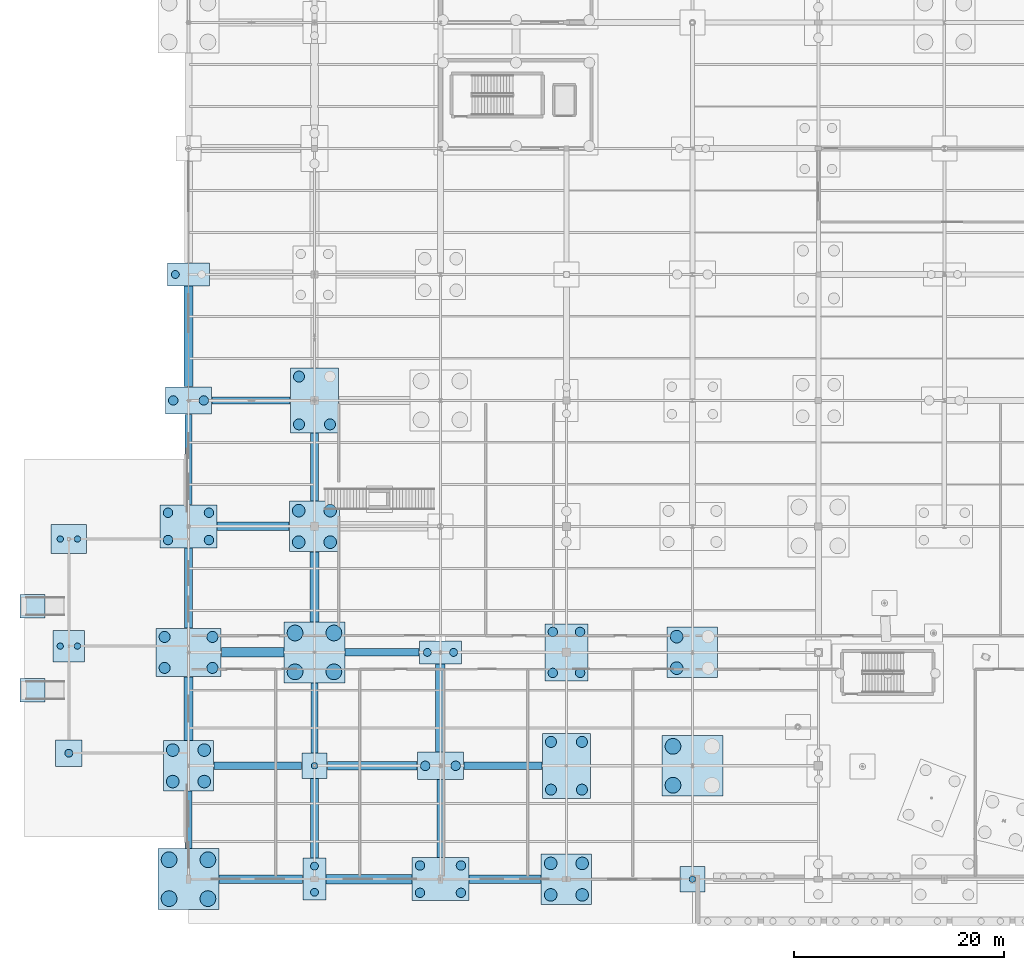
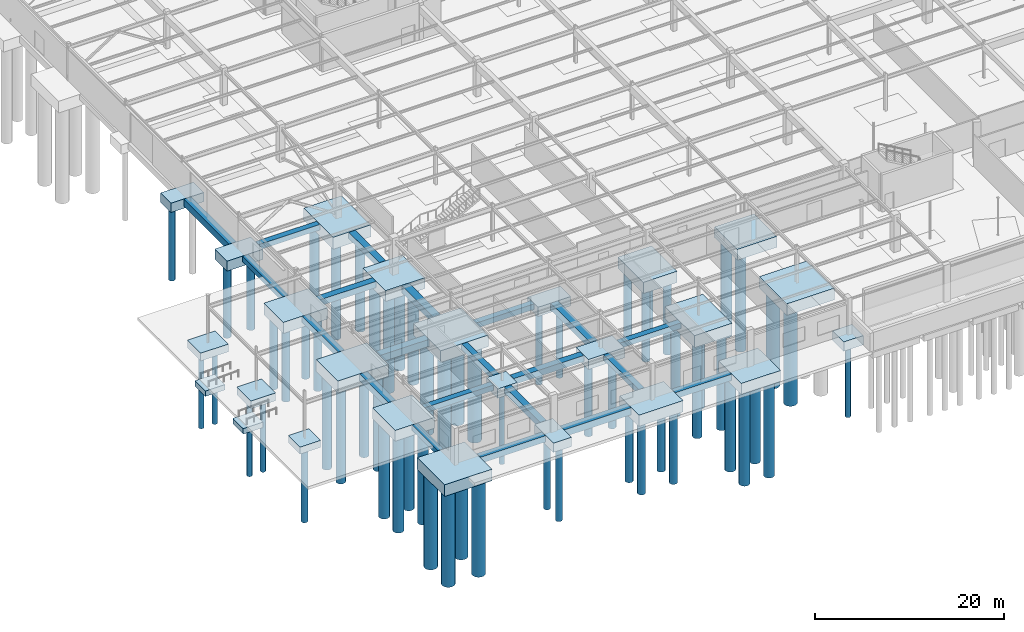
# One storey, part 1 of 136: 63 piles, 46 footings.
"""IFC4 building model written with IfcOpenShell, lengths in metres."""

from ifc_helpers import new_model, si_unit, direction, frame, origin, origin_2d, place, context, subcontext, project, spatial, rectangle, circle, extrude, material, material_profile, profile_set, type_object, element, save


model = new_model("IFC4")

# Units and contexts
model_context = context("Model", 3, precision=1e-05, world=origin(), true_north=direction((0.0, 1.0)))
body_context = subcontext(model_context, "Body", "Model", "MODEL_VIEW")
ifc_project = project(units=[si_unit("LENGTHUNIT", "METRE"), si_unit("AREAUNIT", "SQUARE_METRE"), si_unit("VOLUMEUNIT", "CUBIC_METRE"), si_unit("PLANEANGLEUNIT", "RADIAN"), si_unit("MASSUNIT", "GRAM", prefix="KILO")], contexts=[model_context])

# Site, building, storey
site_placement = place(None, origin())
site = spatial("IfcSite", under=ifc_project, at=site_placement, CompositionType="ELEMENT")
building_placement = place(site_placement, origin())
building = spatial("IfcBuilding", under=site, at=building_placement, Name="Tarnwether General Hospital", CompositionType="ELEMENT")
storey_placement = place(building_placement, frame((0.0, 0.0, -4.800048828125)))
storey = spatial("IfcBuildingStorey", under=building, at=storey_placement, Name="LG", CompositionType="ELEMENT", Elevation=-4.800048828125)

# Footings
ifc_material_1 = material(Name="Concrete 40 MPa", Category="concrete")
footing_type_1 = type_object("IfcFootingType", Name="FT-GB1", PredefinedType="FOOTING_BEAM", material=ifc_material_1)
footing_1_placement = place(storey_placement, frame((6.89990234375, 0.0, -0.7998046875), z_axis=(0.0, 0.0, 1.0), x_axis=(1.0, 0.0, 0.0)))
element("IfcFooting", 1, at=footing_1_placement, inside=storey, type_object=footing_type_1, Name="Ground Footing Beam FT-GB-0004", PredefinedType="FOOTING_BEAM", context=body_context, shape_type="SweptSolid", body=[
    extrude(rectangle(XDim=7.9599609375, YDim=0.800048828125, at=origin_2d()), origin(), (0.0, 0.0, 1.0), 0.800048828125),
])
footing_2_placement = place(storey_placement, frame((0.0, 27.72509765625, -0.7998046875), z_axis=(0.0, 0.0, 1.0), x_axis=(0.0, 1.0, 0.0)))
element("IfcFooting", 2, at=footing_2_placement, inside=storey, type_object=footing_type_1, Name="Ground Footing Beam FT-GB-0007", PredefinedType="FOOTING_BEAM", context=body_context, shape_type="SweptSolid", body=[
    extrude(rectangle(XDim=7.610107421875, YDim=0.800048828125, at=origin_2d()), origin(), (0.0, 0.0, 1.0), 0.800048828125),
])
footing_3_placement = place(storey_placement, frame((6.14990234375, 33.60009765625, -0.7998046875), z_axis=(0.0, 0.0, 1.0), x_axis=(1.0, 0.0, 0.0)))
element("IfcFooting", 3, at=footing_3_placement, inside=storey, type_object=footing_type_1, Name="Ground Footing Beam FT-GB-0010", PredefinedType="FOOTING_BEAM", context=body_context, shape_type="SweptSolid", body=[
    extrude(rectangle(XDim=6.860107421875, YDim=0.800048828125, at=origin_2d()), origin(), (0.0, 0.0, 1.0), 0.800048828125),
])
footing_4_placement = place(storey_placement, frame((12.0, 5.800048828125, -0.7998046875), z_axis=(0.0, 0.0, 1.0), x_axis=(0.0, 1.0, 0.0)))
element("IfcFooting", 4, at=footing_4_placement, inside=storey, type_object=footing_type_1, Name="Ground Footing Beam FT-GB-0025", PredefinedType="FOOTING_BEAM", context=body_context, shape_type="SweptSolid", body=[
    extrude(rectangle(XDim=7.56005859375, YDim=0.800048828125, at=origin_2d()), origin(), (0.0, 0.0, 1.0), 0.800048828125),
])
footing_5_placement = place(storey_placement, frame((17.5, 10.800048828125, -0.7998046875), z_axis=(0.0, 0.0, 1.0), x_axis=(1.0, 0.0, 0.0)))
element("IfcFooting", 5, at=footing_5_placement, inside=storey, type_object=footing_type_1, Name="Ground Footing Beam FT-GB-0028", PredefinedType="FOOTING_BEAM", context=body_context, shape_type="SweptSolid", body=[
    extrude(rectangle(XDim=8.56005859375, YDim=0.800048828125, at=origin_2d()), origin(), (0.0, 0.0, 1.0), 0.800048828125),
])
footing_6_placement = place(storey_placement, frame((12.0, 39.25, -0.7998046875), z_axis=(0.0, 0.0, 1.0), x_axis=(0.0, 1.0, 0.0)))
element("IfcFooting", 6, at=footing_6_placement, inside=storey, type_object=footing_type_1, Name="Ground Footing Beam FT-GB-0031", PredefinedType="FOOTING_BEAM", context=body_context, shape_type="SweptSolid", body=[
    extrude(rectangle(XDim=6.4599609375, YDim=0.800048828125, at=origin_2d()), origin(), (0.0, 0.0, 1.0), 0.800048828125),
])
footing_7_placement = place(storey_placement, frame((30.14990234375, 0.0, -0.7998046875), z_axis=(0.0, 0.0, 1.0), x_axis=(1.0, 0.0, 0.0)))
element("IfcFooting", 7, at=footing_7_placement, inside=storey, type_object=footing_type_1, Name="Ground Footing Beam FT-GB-0046", PredefinedType="FOOTING_BEAM", context=body_context, shape_type="SweptSolid", body=[
    extrude(rectangle(XDim=6.860107421875, YDim=0.800048828125, at=origin_2d()), origin(), (0.0, 0.0, 1.0), 0.800048828125),
])
ifc_material_2 = material(Name="Concrete 40 MPa", Category="concrete")
footing_type_2 = type_object("IfcFootingType", Name="FT-GB2", PredefinedType="FOOTING_BEAM", material=ifc_material_2)
footing_8_placement = place(storey_placement, frame((0.0, 16.25, -0.89990234375), z_axis=(0.0, 0.0, 1.0), x_axis=(0.0, 1.0, 0.0)))
element("IfcFooting", 8, at=footing_8_placement, inside=storey, type_object=footing_type_2, Name="Ground Footing Beam FT-GB-0005", PredefinedType="FOOTING_BEAM", context=body_context, shape_type="SweptSolid", body=[
    extrude(rectangle(XDim=6.06005859375, YDim=0.89990234375, at=origin_2d()), origin(), (0.0, 0.0, 1.0), 0.89990234375),
])
footing_9_placement = place(storey_placement, frame((6.10009765625, 21.60009765625, -0.89990234375), z_axis=(0.0, 0.0, 1.0), x_axis=(1.0, 0.0, 0.0)))
element("IfcFooting", 9, at=footing_9_placement, inside=storey, type_object=footing_type_2, Name="Ground Footing Beam FT-GB-0008", PredefinedType="FOOTING_BEAM", context=body_context, shape_type="SweptSolid", body=[
    extrude(rectangle(XDim=5.9599609375, YDim=0.89990234375, at=origin_2d()), origin(), (0.0, 0.0, 1.0), 0.89990234375),
])
footing_10_placement = place(storey_placement, frame((0.0, 51.699951171875, -0.89990234375), z_axis=(0.0, 0.0, 1.0), x_axis=(0.0, 1.0, 0.0)))
element("IfcFooting", 10, at=footing_10_placement, inside=storey, type_object=footing_type_2, Name="Ground Footing Beam FT-GB-0011", PredefinedType="FOOTING_BEAM", context=body_context, shape_type="SweptSolid", body=[
    extrude(rectangle(XDim=9.56005859375, YDim=0.89990234375, at=origin_2d()), origin(), (0.0, 0.0, 1.0), 0.89990234375),
])
footing_11_placement = place(storey_placement, frame((17.199951171875, 0.0, -0.89990234375), z_axis=(0.0, 0.0, 1.0), x_axis=(1.0, 0.0, 0.0)))
element("IfcFooting", 11, at=footing_11_placement, inside=storey, type_object=footing_type_2, Name="Ground Footing Beam FT-GB-0026", PredefinedType="FOOTING_BEAM", context=body_context, shape_type="SweptSolid", body=[
    extrude(rectangle(XDim=8.159912109375, YDim=0.89990234375, at=origin_2d()), origin(), (0.0, 0.0, 1.0), 0.89990234375),
])
footing_12_placement = place(storey_placement, frame((12.0, 27.85009765625, -0.89990234375), z_axis=(0.0, 0.0, 1.0), x_axis=(0.0, 1.0, 0.0)))
element("IfcFooting", 12, at=footing_12_placement, inside=storey, type_object=footing_type_2, Name="Ground Footing Beam FT-GB-0029", PredefinedType="FOOTING_BEAM", context=body_context, shape_type="SweptSolid", body=[
    extrude(rectangle(XDim=6.659912109375, YDim=0.89990234375, at=origin_2d()), origin(), (0.0, 0.0, 1.0), 0.89990234375),
])
footing_13_placement = place(storey_placement, frame((24.0, 16.300048828125, -0.89990234375), z_axis=(0.0, 0.0, 1.0), x_axis=(0.0, 1.0, 0.0)))
element("IfcFooting", 13, at=footing_13_placement, inside=storey, type_object=footing_type_2, Name="Ground Footing Beam FT-GB-0047", PredefinedType="FOOTING_BEAM", context=body_context, shape_type="SweptSolid", body=[
    extrude(rectangle(XDim=8.360107421875, YDim=0.89990234375, at=origin_2d()), origin(), (0.0, 0.0, 1.0), 0.89990234375),
])
ifc_material_3 = material(Name="Concrete 40 MPa", Category="concrete")
footing_type_3 = type_object("IfcFootingType", Name="FT-GB3", PredefinedType="FOOTING_BEAM", material=ifc_material_3)
footing_14_placement = place(storey_placement, frame((0.0, 5.64990234375, -0.69970703125), z_axis=(0.0, 0.0, 1.0), x_axis=(0.0, 1.0, 0.0)))
element("IfcFooting", 14, at=footing_14_placement, inside=storey, type_object=footing_type_3, Name="Ground Footing Beam FT-GB-0003", PredefinedType="FOOTING_BEAM", context=body_context, shape_type="SweptSolid", body=[
    extrude(rectangle(XDim=5.4599609375, YDim=0.699951171875, at=origin_2d()), origin(), (0.0, 0.0, 1.0), 0.699951171875),
])
footing_15_placement = place(storey_placement, frame((6.60009765625, 10.800048828125, -0.69970703125), z_axis=(0.0, 0.0, 1.0), x_axis=(1.0, 0.0, 0.0)))
element("IfcFooting", 15, at=footing_15_placement, inside=storey, type_object=footing_type_3, Name="Ground Footing Beam FT-GB-0006", PredefinedType="FOOTING_BEAM", context=body_context, shape_type="SweptSolid", body=[
    extrude(rectangle(XDim=8.360107421875, YDim=0.699951171875, at=origin_2d()), origin(), (0.0, 0.0, 1.0), 0.699951171875),
])
footing_16_placement = place(storey_placement, frame((0.0, 39.97509765625, -0.69970703125), z_axis=(0.0, 0.0, 1.0), x_axis=(0.0, 1.0, 0.0)))
element("IfcFooting", 16, at=footing_16_placement, inside=storey, type_object=footing_type_3, Name="Ground Footing Beam FT-GB-0009", PredefinedType="FOOTING_BEAM", context=body_context, shape_type="SweptSolid", body=[
    extrude(rectangle(XDim=8.610107421875, YDim=0.699951171875, at=origin_2d()), origin(), (0.0, 0.0, 1.0), 0.699951171875),
])
footing_17_placement = place(storey_placement, frame((5.949951171875, 45.60009765625, -0.69970703125), z_axis=(0.0, 0.0, 1.0), x_axis=(1.0, 0.0, 0.0)))
element("IfcFooting", 17, at=footing_17_placement, inside=storey, type_object=footing_type_3, Name="Ground Footing Beam FT-GB-0012", PredefinedType="FOOTING_BEAM", context=body_context, shape_type="SweptSolid", body=[
    extrude(rectangle(XDim=7.4599609375, YDim=0.699951171875, at=origin_2d()), origin(), (0.0, 0.0, 1.0), 0.699951171875),
])
footing_18_placement = place(storey_placement, frame((12.0, 15.35009765625, -0.69970703125), z_axis=(0.0, 0.0, 1.0), x_axis=(0.0, 1.0, 0.0)))
element("IfcFooting", 18, at=footing_18_placement, inside=storey, type_object=footing_type_3, Name="Ground Footing Beam FT-GB-0027", PredefinedType="FOOTING_BEAM", context=body_context, shape_type="SweptSolid", body=[
    extrude(rectangle(XDim=6.659912109375, YDim=0.699951171875, at=origin_2d()), origin(), (0.0, 0.0, 1.0), 0.699951171875),
])
footing_19_placement = place(storey_placement, frame((18.449951171875, 21.60009765625, -0.69970703125), z_axis=(0.0, 0.0, 1.0), x_axis=(1.0, 0.0, 0.0)))
element("IfcFooting", 19, at=footing_19_placement, inside=storey, type_object=footing_type_3, Name="Ground Footing Beam FT-GB-0030", PredefinedType="FOOTING_BEAM", context=body_context, shape_type="SweptSolid", body=[
    extrude(rectangle(XDim=7.06005859375, YDim=0.699951171875, at=origin_2d()), origin(), (0.0, 0.0, 1.0), 0.699951171875),
])
footing_20_placement = place(storey_placement, frame((24.0, 5.77490234375, -0.69970703125), z_axis=(0.0, 0.0, 1.0), x_axis=(0.0, 1.0, 0.0)))
element("IfcFooting", 20, at=footing_20_placement, inside=storey, type_object=footing_type_3, Name="Ground Footing Beam FT-GB-0045", PredefinedType="FOOTING_BEAM", context=body_context, shape_type="SweptSolid", body=[
    extrude(rectangle(XDim=7.409912109375, YDim=0.699951171875, at=origin_2d()), origin(), (0.0, 0.0, 1.0), 0.699951171875),
])
footing_21_placement = place(storey_placement, frame((29.949951171875, 10.800048828125, -0.69970703125), z_axis=(0.0, 0.0, 1.0), x_axis=(1.0, 0.0, 0.0)))
element("IfcFooting", 21, at=footing_21_placement, inside=storey, type_object=footing_type_3, Name="Ground Footing Beam FT-GB-0048", PredefinedType="FOOTING_BEAM", context=body_context, shape_type="SweptSolid", body=[
    extrude(rectangle(XDim=7.4599609375, YDim=0.699951171875, at=origin_2d()), origin(), (0.0, 0.0, 1.0), 0.699951171875),
])
ifc_material_4 = material(Name="Concrete 40 MPa", Category="concrete")
footing_type_4 = type_object("IfcFootingType", Name="FT-PC1", PredefinedType="PILE_CAP", material=ifc_material_4)
for number, where, z_axis, x_axis, name in (
    (22, (12.0, 10.800048828125, -1.19970703125), (0.0, 0.0, 1.0), (0.0, 1.0, 0.0), "Pile Cap FT-CAP-0024"),
    (23, (48.0, 0.0, -1.19970703125), (0.0, 0.0, 1.0), (1.0, 0.0, 0.0), "Pile Cap FT-CAP-0055"),
):
    element("IfcFooting", number, at=place(storey_placement, frame(where, z_axis=z_axis, x_axis=x_axis)), inside=storey, type_object=footing_type_4, Name=name, PredefinedType="PILE_CAP", context=body_context, shape_type="SweptSolid", body=[
        extrude(rectangle(XDim=2.39990234375, YDim=2.39990234375, at=origin_2d()), origin(), (0.0, 0.0, 1.0), 1.199951171875),
    ])
ifc_material_5 = material(Name="Concrete 40 MPa", Category="concrete")
footing_type_5 = type_object("IfcFootingType", Name="FT-PC2", PredefinedType="PILE_CAP", material=ifc_material_5)
for number, where, z_axis, x_axis, name in (
    (24, (0.0, 57.60009765625, -1.19970703125), (0.0, 0.0, 1.0), (1.0, 0.0, 0.0), "Pile Cap FT-CAP-0016"),
    (25, (12.0, 0.0, -1.19970703125), (0.0, 0.0, 1.0), (0.0, 1.0, 0.0), "Pile Cap FT-CAP-0023"),
    (26, (24.0, 21.60009765625, -1.19970703125), (0.0, 0.0, 1.0), (1.0, 0.0, 0.0), "Pile Cap FT-CAP-0037"),
):
    element("IfcFooting", number, at=place(storey_placement, frame(where, z_axis=z_axis, x_axis=x_axis)), inside=storey, type_object=footing_type_5, Name=name, PredefinedType="PILE_CAP", context=body_context, shape_type="SweptSolid", body=[
        extrude(rectangle(XDim=4.0, YDim=2.199951171875, at=origin_2d()), origin(), (0.0, 0.0, 1.0), 1.199951171875),
    ])
ifc_material_6 = material(Name="Concrete 40 MPa", Category="concrete")
footing_type_6 = type_object("IfcFootingType", Name="FT-PC3", PredefinedType="PILE_CAP", material=ifc_material_6)
for number, where, z_axis, x_axis, name in (
    (27, (0.0, 45.60009765625, -1.2998046875), (0.0, 0.0, 1.0), (1.0, 0.0, 0.0), "Pile Cap FT-CAP-0015"),
    (28, (24.0, 10.800048828125, -1.2998046875), (0.0, 0.0, 1.0), (1.0, 0.0, 0.0), "Pile Cap FT-CAP-0036"),
):
    element("IfcFooting", number, at=place(storey_placement, frame(where, z_axis=z_axis, x_axis=x_axis)), inside=storey, type_object=footing_type_6, Name=name, PredefinedType="PILE_CAP", context=body_context, shape_type="SweptSolid", body=[
        extrude(rectangle(XDim=4.39990234375, YDim=2.60009765625, at=origin_2d()), origin(), (0.0, 0.0, 1.0), 1.300048828125),
    ])
ifc_material_7 = material(Name="Concrete 40 MPa", Category="concrete")
footing_type_7 = type_object("IfcFootingType", Name="FT-PC4", PredefinedType="PILE_CAP", material=ifc_material_7)
for number, where, z_axis, x_axis, name in (
    (29, (0.0, 10.800048828125, -1.39990234375), (0.0, 0.0, 1.0), (1.0, 0.0, 0.0), "Pile Cap FT-CAP-0012"),
    (30, (12.0, 33.60009765625, -1.39990234375), (0.0, 0.0, 1.0), (0.0, 1.0, 0.0), "Pile Cap FT-CAP-0026"),
    (31, (36.0, 0.0, -1.39990234375), (0.0, 0.0, 1.0), (0.0, 1.0, 0.0), "Pile Cap FT-CAP-0045"),
    (32, (48.0, 21.60009765625, -1.39990234375), (0.0, 0.0, 1.0), (1.0, 0.0, 0.0), "Pile Cap FT-CAP-0057"),
):
    element("IfcFooting", number, at=place(storey_placement, frame(where, z_axis=z_axis, x_axis=x_axis)), inside=storey, type_object=footing_type_7, Name=name, PredefinedType="PILE_CAP", context=body_context, shape_type="SweptSolid", body=[
        extrude(rectangle(XDim=4.800048828125, YDim=4.800048828125, at=origin_2d()), origin(), (0.0, 0.0, 1.0), 1.39990234375),
    ])
ifc_material_8 = material(Name="Concrete 40 MPa", Category="concrete")
footing_type_8 = type_object("IfcFootingType", Name="FT-PC5", PredefinedType="PILE_CAP", material=ifc_material_8)
for number, where, z_axis, x_axis, name in (
    (33, (0.0, 0.0, -1.5), (0.0, 0.0, 1.0), (1.0, 0.0, 0.0), "Pile Cap FT-CAP-0011"),
    (34, (12.0, 21.60009765625, -1.5), (0.0, 0.0, 1.0), (0.0, 1.0, 0.0), "Pile Cap FT-CAP-0025"),
    (35, (48.0, 10.800048828125, -1.5), (0.0, 0.0, 1.0), (1.0, 0.0, 0.0), "Pile Cap FT-CAP-0056"),
):
    element("IfcFooting", number, at=place(storey_placement, frame(where, z_axis=z_axis, x_axis=x_axis)), inside=storey, type_object=footing_type_8, Name=name, PredefinedType="PILE_CAP", context=body_context, shape_type="SweptSolid", body=[
        extrude(rectangle(XDim=5.800048828125, YDim=5.800048828125, at=origin_2d()), origin(), (0.0, 0.0, 1.0), 1.5),
    ])
ifc_material_9 = material(Name="Concrete 40 MPa", Category="concrete")
footing_type_9 = type_object("IfcFootingType", Name="FT-PC6", PredefinedType="PILE_CAP", material=ifc_material_9)
for number, where, z_axis, x_axis, name in (
    (36, (0.0, 33.60009765625, -1.44970703125), (0.0, 0.0, 1.0), (1.0, 0.0, 0.0), "Pile Cap FT-CAP-0014"),
    (37, (24.0, 0.0, -1.44970703125), (0.0, 0.0, 1.0), (1.0, 0.0, 0.0), "Pile Cap FT-CAP-0035"),
    (38, (36.0, 21.60009765625, -1.44970703125), (0.0, 0.0, 1.0), (0.0, 1.0, 0.0), "Pile Cap FT-CAP-0047"),
):
    element("IfcFooting", number, at=place(storey_placement, frame(where, z_axis=z_axis, x_axis=x_axis)), inside=storey, type_object=footing_type_9, Name=name, PredefinedType="PILE_CAP", context=body_context, shape_type="SweptSolid", body=[
        extrude(rectangle(XDim=5.39990234375, YDim=4.10009765625, at=origin_2d()), origin(), (0.0, 0.0, 1.0), 1.449951171875),
    ])
ifc_material_10 = material(Name="Concrete 40 MPa", Category="concrete")
footing_type_10 = type_object("IfcFootingType", Name="FT-PC7", PredefinedType="PILE_CAP", material=ifc_material_10)
for number, where, z_axis, x_axis, name in (
    (39, (0.0, 21.60009765625, -1.5498046875), (0.0, 0.0, 1.0), (1.0, 0.0, 0.0), "Pile Cap FT-CAP-0013"),
    (40, (12.0, 45.60009765625, -1.5498046875), (0.0, 0.0, 1.0), (0.0, 1.0, 0.0), "Pile Cap FT-CAP-0027"),
    (41, (36.0, 10.800048828125, -1.5498046875), (0.0, 0.0, 1.0), (0.0, 1.0, 0.0), "Pile Cap FT-CAP-0046"),
):
    element("IfcFooting", number, at=place(storey_placement, frame(where, z_axis=z_axis, x_axis=x_axis)), inside=storey, type_object=footing_type_10, Name=name, PredefinedType="PILE_CAP", context=body_context, shape_type="SweptSolid", body=[
        extrude(rectangle(XDim=6.199951171875, YDim=4.60009765625, at=origin_2d()), origin(), (0.0, 0.0, 1.0), 1.550048828125),
    ])
ifc_material_11 = material(Name="Concrete 40 MPa", Category="concrete")
footing_type_11 = type_object("IfcFootingType", Name="FT-PF2", PredefinedType="PAD_FOOTING", material=ifc_material_11)
footing_22_placement = place(storey_placement, frame((-11.39990234375, 12.0, -0.89990234375), z_axis=(0.0, 0.0, 1.0), x_axis=(1.0, 0.0, 0.0)))
element("IfcFooting", 42, at=footing_22_placement, inside=storey, type_object=footing_type_11, Name="Pad Footing FT-PAD-0237", PredefinedType="PAD_FOOTING", context=body_context, shape_type="SweptSolid", body=[
    extrude(rectangle(XDim=2.5, YDim=2.5, at=origin_2d()), origin(), (0.0, 0.0, 1.0), 0.89990234375),
])
ifc_material_12 = material(Name="Concrete 40 MPa", Category="concrete")
footing_type_12 = type_object("IfcFootingType", Name="FT-PF3", PredefinedType="PAD_FOOTING", material=ifc_material_12)
footing_23_placement = place(storey_placement, frame((-11.39990234375, 22.199951171875, -1.0), z_axis=(0.0, 0.0, 1.0), x_axis=(1.0, 0.0, 0.0)))
element("IfcFooting", 43, at=footing_23_placement, inside=storey, type_object=footing_type_12, Name="Pad Footing FT-PAD-0238", PredefinedType="PAD_FOOTING", context=body_context, shape_type="SweptSolid", body=[
    extrude(rectangle(XDim=3.0, YDim=3.0, at=origin_2d()), origin(), (0.0, 0.0, 1.0), 1.0),
])
ifc_material_13 = material(Name="Concrete 40 MPa", Category="concrete")
footing_type_13 = type_object("IfcFootingType", Name="FT-PF4", PredefinedType="PAD_FOOTING", material=ifc_material_13)
footing_24_placement = place(storey_placement, frame((-11.39990234375, 32.39990234375, -1.0), z_axis=(0.0, 0.0, 1.0), x_axis=(1.0, 0.0, 0.0)))
element("IfcFooting", 44, at=footing_24_placement, inside=storey, type_object=footing_type_13, Name="Pad Footing FT-PAD-0239", PredefinedType="PAD_FOOTING", context=body_context, shape_type="SweptSolid", body=[
    extrude(rectangle(XDim=3.39990234375, YDim=2.800048828125, at=origin_2d()), origin(), (0.0, 0.0, 1.0), 1.0),
])
ifc_material_14 = material(Name="Concrete 40 MPa", Category="concrete")
footing_type_14 = type_object("IfcFootingType", Name="FT-PF6", PredefinedType="PAD_FOOTING", material=ifc_material_14)
for number, where, z_axis, x_axis, name in (
    (45, (-14.85009765625, 18.0, -0.85009765625), (0.0, 0.0, 1.0), (1.0, 0.0, 0.0), "Ramp Toe Pad Footing RMP-01"),
    (46, (-14.85009765625, 26.0, -0.85009765625), (0.0, 0.0, 1.0), (1.0, 0.0, 0.0), "Ramp Toe Pad Footing RMP-02"),
):
    element("IfcFooting", number, at=place(storey_placement, frame(where, z_axis=z_axis, x_axis=x_axis)), inside=storey, type_object=footing_type_14, Name=name, PredefinedType="PAD_FOOTING", context=body_context, shape_type="SweptSolid", body=[
        extrude(rectangle(XDim=2.39990234375, YDim=2.199951171875, at=origin_2d()), origin(), (0.0, 0.0, 1.0), 0.699951171875),
    ])

# Piles
ifc_material_15 = material(Name="Concrete 40 MPa", Category="concrete")
ifc_material_profile_1 = material_profile(ifc_material_15, circle(Radius=0.52490234375, at=origin_2d()), Name="PILE-D1050")
ifc_profile_set_1 = profile_set([ifc_material_profile_1], Name="Concrete 40 MPa")
pile_type_1 = type_object("IfcPileType", Name="PL-1050", PredefinedType="BORED", material=ifc_profile_set_1)
for number, where, z_axis, x_axis, name in (
    (47, (-2.27490234375, 20.125, -1.449951171875), (0.0, 0.0, -1.0), (1.0, 0.0, 0.0), "Bored Pile PLG-LG--23_201-0069"),
    (48, (-2.27490234375, 23.074951171875, -1.449951171875), (0.0, 0.0, -1.0), (1.0, 0.0, 0.0), "Bored Pile PLG-LG--23_231-0070"),
    (49, (2.27490234375, 20.125, -1.449951171875), (0.0, 0.0, -1.0), (1.0, 0.0, 0.0), "Bored Pile PLG-LG-23_201-0071"),
    (50, (2.27490234375, 23.074951171875, -1.449951171875), (0.0, 0.0, -1.0), (1.0, 0.0, 0.0), "Bored Pile PLG-LG-23_231-0072"),
    (51, (13.47509765625, 43.324951171875, -1.449951171875), (0.0, 0.0, -1.0), (1.0, 0.0, 0.0), "Bored Pile PLG-LG-135_433-0111"),
    (52, (10.52490234375, 43.324951171875, -1.449951171875), (0.0, 0.0, -1.0), (1.0, 0.0, 0.0), "Bored Pile PLG-LG-105_433-0112"),
    (53, (10.52490234375, 47.875, -1.449951171875), (0.0, 0.0, -1.0), (1.0, 0.0, 0.0), "Bored Pile PLG-LG-105_479-0114"),
    (54, (37.47509765625, 8.52490234375, -1.449951171875), (0.0, 0.0, -1.0), (1.0, 0.0, 0.0), "Bored Pile PLG-LG-375_85-0166"),
    (55, (34.52490234375, 8.52490234375, -1.449951171875), (0.0, 0.0, -1.0), (1.0, 0.0, 0.0), "Bored Pile PLG-LG-345_85-0167"),
    (56, (37.47509765625, 13.074951171875, -1.449951171875), (0.0, 0.0, -1.0), (1.0, 0.0, 0.0), "Bored Pile PLG-LG-375_131-0168"),
    (57, (34.52490234375, 13.074951171875, -1.449951171875), (0.0, 0.0, -1.0), (1.0, 0.0, 0.0), "Bored Pile PLG-LG-345_131-0169"),
):
    element("IfcPile", number, at=place(storey_placement, frame(where, z_axis=z_axis, x_axis=x_axis)), inside=storey, type_object=pile_type_1, Name=name, PredefinedType="BORED", context=body_context, shape_type="SweptSolid", body=[
        extrude(circle(Radius=0.52490234375, at=origin_2d()), origin(), (0.0, 0.0, 1.0), 12.25),
    ])
ifc_material_16 = material(Name="Concrete 40 MPa", Category="concrete")
ifc_material_profile_2 = material_profile(ifc_material_16, circle(Radius=0.60009765625, at=origin_2d()), Name="PILE-D1200")
ifc_profile_set_2 = profile_set([ifc_material_profile_2], Name="Concrete 40 MPa")
pile_type_2 = type_object("IfcPileType", Name="PL-1200", PredefinedType="BORED", material=ifc_profile_set_2)
for number, where, z_axis, x_axis, name in (
    (58, (-1.5, 9.300048828125, -1.300048828125), (0.0, 0.0, -1.0), (1.0, 0.0, 0.0), "Bored Pile PLG-LG--15_93-0065"),
    (59, (-1.5, 12.300048828125, -1.300048828125), (0.0, 0.0, -1.0), (1.0, 0.0, 0.0), "Bored Pile PLG-LG--15_123-0066"),
    (60, (1.5, 9.300048828125, -1.300048828125), (0.0, 0.0, -1.0), (1.0, 0.0, 0.0), "Bored Pile PLG-LG-15_93-0067"),
    (61, (1.5, 12.300048828125, -1.300048828125), (0.0, 0.0, -1.0), (1.0, 0.0, 0.0), "Bored Pile PLG-LG-15_123-0068"),
    (62, (13.5, 32.10009765625, -1.300048828125), (0.0, 0.0, -1.0), (1.0, 0.0, 0.0), "Bored Pile PLG-LG-135_321-0107"),
    (63, (10.5, 32.10009765625, -1.300048828125), (0.0, 0.0, -1.0), (1.0, 0.0, 0.0), "Bored Pile PLG-LG-105_321-0108"),
    (64, (13.5, 35.10009765625, -1.300048828125), (0.0, 0.0, -1.0), (1.0, 0.0, 0.0), "Bored Pile PLG-LG-135_351-0109"),
    (65, (10.5, 35.10009765625, -1.300048828125), (0.0, 0.0, -1.0), (1.0, 0.0, 0.0), "Bored Pile PLG-LG-105_351-0110"),
    (66, (37.5, -1.5, -1.300048828125), (0.0, 0.0, -1.0), (1.0, 0.0, 0.0), "Bored Pile PLG-LG-375_-15-0162"),
    (67, (34.5, -1.5, -1.300048828125), (0.0, 0.0, -1.0), (1.0, 0.0, 0.0), "Bored Pile PLG-LG-345_-15-0163"),
    (68, (37.5, 1.5, -1.300048828125), (0.0, 0.0, -1.0), (1.0, 0.0, 0.0), "Bored Pile PLG-LG-375_15-0164"),
    (69, (34.5, 1.5, -1.300048828125), (0.0, 0.0, -1.0), (1.0, 0.0, 0.0), "Bored Pile PLG-LG-345_15-0165"),
    (70, (46.5, 20.10009765625, -1.300048828125), (0.0, 0.0, -1.0), (1.0, 0.0, 0.0), "Bored Pile PLG-LG-465_201-0193"),
    (71, (46.5, 23.10009765625, -1.300048828125), (0.0, 0.0, -1.0), (1.0, 0.0, 0.0), "Bored Pile PLG-LG-465_231-0194"),
):
    element("IfcPile", number, at=place(storey_placement, frame(where, z_axis=z_axis, x_axis=x_axis)), inside=storey, type_object=pile_type_2, Name=name, PredefinedType="BORED", context=body_context, shape_type="SweptSolid", body=[
        extrude(circle(Radius=0.60009765625, at=origin_2d()), origin(), (0.0, 0.0, 1.0), 12.39990234375),
    ])
ifc_material_17 = material(Name="Concrete 40 MPa", Category="concrete")
ifc_material_profile_3 = material_profile(ifc_material_17, circle(Radius=0.75, at=origin_2d()), Name="PILE-D1500")
ifc_profile_set_3 = profile_set([ifc_material_profile_3], Name="Concrete 40 MPa")
pile_type_3 = type_object("IfcPileType", Name="PL-1500", PredefinedType="BORED", material=ifc_profile_set_3)
for number, where, z_axis, x_axis, name in (
    (72, (-1.85009765625, -1.85009765625, -1.39990234375), (0.0, 0.0, -1.0), (1.0, 0.0, 0.0), "Bored Pile PLG-LG--18_-18-0061"),
    (73, (-1.85009765625, 1.85009765625, -1.39990234375), (0.0, 0.0, -1.0), (1.0, 0.0, 0.0), "Bored Pile PLG-LG--18_18-0062"),
    (74, (1.85009765625, -1.85009765625, -1.39990234375), (0.0, 0.0, -1.0), (1.0, 0.0, 0.0), "Bored Pile PLG-LG-18_-18-0063"),
    (75, (1.85009765625, 1.85009765625, -1.39990234375), (0.0, 0.0, -1.0), (1.0, 0.0, 0.0), "Bored Pile PLG-LG-18_18-0064"),
    (76, (13.85009765625, 19.75, -1.39990234375), (0.0, 0.0, -1.0), (1.0, 0.0, 0.0), "Bored Pile PLG-LG-138_198-0103"),
    (77, (10.14990234375, 19.75, -1.39990234375), (0.0, 0.0, -1.0), (1.0, 0.0, 0.0), "Bored Pile PLG-LG-102_198-0104"),
    (78, (13.85009765625, 23.449951171875, -1.39990234375), (0.0, 0.0, -1.0), (1.0, 0.0, 0.0), "Bored Pile PLG-LG-138_234-0105"),
    (79, (10.14990234375, 23.449951171875, -1.39990234375), (0.0, 0.0, -1.0), (1.0, 0.0, 0.0), "Bored Pile PLG-LG-102_234-0106"),
    (80, (46.14990234375, 8.949951171875, -1.39990234375), (0.0, 0.0, -1.0), (1.0, 0.0, 0.0), "Bored Pile PLG-LG-462_90-0189"),
    (81, (46.14990234375, 12.64990234375, -1.39990234375), (0.0, 0.0, -1.0), (1.0, 0.0, 0.0), "Bored Pile PLG-LG-462_126-0190"),
):
    element("IfcPile", number, at=place(storey_placement, frame(where, z_axis=z_axis, x_axis=x_axis)), inside=storey, type_object=pile_type_3, Name=name, PredefinedType="BORED", context=body_context, shape_type="SweptSolid", body=[
        extrude(circle(Radius=0.75, at=origin_2d()), origin(), (0.0, 0.0, 1.0), 12.300048828125),
    ])
ifc_material_18 = material(Name="Concrete 40 MPa", Category="concrete")
ifc_material_profile_4 = material_profile(ifc_material_18, circle(Radius=0.300048828125, at=origin_2d()), Name="PILE-D600")
ifc_profile_set_4 = profile_set([ifc_material_profile_4], Name="Concrete 40 MPa")
pile_type_4 = type_object("IfcPileType", Name="PL-600", PredefinedType="BORED", material=ifc_profile_set_4)
for number, where, z_axis, x_axis, name in (
    (82, (12.0, 10.800048828125, -1.099853515625), (0.0, 0.0, -1.0), (1.0, 0.0, 0.0), "Bored Pile PLG-LG-120_108-0102"),
    (83, (48.0, 0.0, -1.099853515625), (0.0, 0.0, -1.0), (1.0, 0.0, 0.0), "Bored Pile PLG-LG-480_0-0188"),
):
    element("IfcPile", number, at=place(storey_placement, frame(where, z_axis=z_axis, x_axis=x_axis)), inside=storey, type_object=pile_type_4, Name=name, PredefinedType="BORED", context=body_context, shape_type="SweptSolid", body=[
        extrude(circle(Radius=0.300048828125, at=origin_2d()), origin(), (0.0, 0.0, 1.0), 9.60009765625),
    ])
for number, where, z_axis, x_axis, name in (
    (84, (-12.219970703125, 22.199951171875, -0.89990234375), (0.0, 0.0, -1.0), (1.0, 0.0, 0.0), "Bored Pile PLG-LG--122_222-0627"),
    (85, (-10.580078125, 22.199951171875, -0.89990234375), (0.0, 0.0, -1.0), (1.0, 0.0, 0.0), "Bored Pile PLG-LG--106_222-0628"),
    (86, (-12.219970703125, 32.39990234375, -0.89990234375), (0.0, 0.0, -1.0), (1.0, 0.0, 0.0), "Bored Pile PLG-LG--122_324-0629"),
    (87, (-10.580078125, 32.39990234375, -0.89990234375), (0.0, 0.0, -1.0), (1.0, 0.0, 0.0), "Bored Pile PLG-LG--106_324-0630"),
):
    element("IfcPile", number, at=place(storey_placement, frame(where, z_axis=z_axis, x_axis=x_axis)), inside=storey, type_object=pile_type_4, Name=name, PredefinedType="BORED", context=body_context, shape_type="SweptSolid", body=[
        extrude(circle(Radius=0.300048828125, at=origin_2d()), origin(), (0.0, 0.0, 1.0), 9.800048828125),
    ])
ifc_material_19 = material(Name="Concrete 40 MPa", Category="concrete")
ifc_material_profile_5 = material_profile(ifc_material_19, circle(Radius=0.375, at=origin_2d()), Name="PILE-D750")
ifc_profile_set_5 = profile_set([ifc_material_profile_5], Name="Concrete 40 MPa")
pile_type_5 = type_object("IfcPileType", Name="PL-750", PredefinedType="BORED", material=ifc_profile_set_5)
for number, where, z_axis, x_axis, name in (
    (88, (-1.25, 57.60009765625, -1.099853515625), (0.0, 0.0, -1.0), (1.0, 0.0, 0.0), "Bored Pile PLG-LG--12_576-0079"),
    (89, (12.0, -1.25, -1.099853515625), (0.0, 0.0, -1.0), (1.0, 0.0, 0.0), "Bored Pile PLG-LG-120_-12-0100"),
    (90, (12.0, 1.25, -1.099853515625), (0.0, 0.0, -1.0), (1.0, 0.0, 0.0), "Bored Pile PLG-LG-120_12-0101"),
    (91, (22.75, 21.60009765625, -1.099853515625), (0.0, 0.0, -1.0), (1.0, 0.0, 0.0), "Bored Pile PLG-LG-228_216-0142"),
    (92, (25.25, 21.60009765625, -1.099853515625), (0.0, 0.0, -1.0), (1.0, 0.0, 0.0), "Bored Pile PLG-LG-252_216-0143"),
):
    element("IfcPile", number, at=place(storey_placement, frame(where, z_axis=z_axis, x_axis=x_axis)), inside=storey, type_object=pile_type_5, Name=name, PredefinedType="BORED", context=body_context, shape_type="SweptSolid", body=[
        extrude(circle(Radius=0.375, at=origin_2d()), origin(), (0.0, 0.0, 1.0), 9.60009765625),
    ])
pile_placement = place(storey_placement, frame((-11.39990234375, 12.0, -0.800048828125), z_axis=(0.0, 0.0, -1.0), x_axis=(1.0, 0.0, 0.0)))
element("IfcPile", 93, at=pile_placement, inside=storey, type_object=pile_type_5, Name="Bored Pile PLG-LG--114_120-0626", PredefinedType="BORED", context=body_context, shape_type="SweptSolid", body=[
    extrude(circle(Radius=0.375, at=origin_2d()), origin(), (0.0, 0.0, 1.0), 9.89990234375),
])
ifc_material_20 = material(Name="Concrete 40 MPa", Category="concrete")
ifc_material_profile_6 = material_profile(ifc_material_20, circle(Radius=0.449951171875, at=origin_2d()), Name="PILE-D900")
ifc_profile_set_6 = profile_set([ifc_material_profile_6], Name="Concrete 40 MPa")
pile_type_6 = type_object("IfcPileType", Name="PL-900", PredefinedType="BORED", material=ifc_profile_set_6)
for number, where, z_axis, x_axis, name in (
    (94, (-1.949951171875, 32.300048828125, -1.349853515625), (0.0, 0.0, -1.0), (1.0, 0.0, 0.0), "Bored Pile PLG-LG--20_323-0073"),
    (95, (-1.949951171875, 34.89990234375, -1.349853515625), (0.0, 0.0, -1.0), (1.0, 0.0, 0.0), "Bored Pile PLG-LG--20_349-0074"),
    (96, (1.949951171875, 32.300048828125, -1.349853515625), (0.0, 0.0, -1.0), (1.0, 0.0, 0.0), "Bored Pile PLG-LG-20_323-0075"),
    (97, (1.949951171875, 34.89990234375, -1.349853515625), (0.0, 0.0, -1.0), (1.0, 0.0, 0.0), "Bored Pile PLG-LG-20_349-0076"),
):
    element("IfcPile", number, at=place(storey_placement, frame(where, z_axis=z_axis, x_axis=x_axis)), inside=storey, type_object=pile_type_6, Name=name, PredefinedType="BORED", context=body_context, shape_type="SweptSolid", body=[
        extrude(circle(Radius=0.449951171875, at=origin_2d()), origin(), (0.0, 0.0, 1.0), 9.35009765625),
    ])
for number, where, z_axis, x_axis, name in (
    (98, (-1.449951171875, 45.60009765625, -1.199951171875), (0.0, 0.0, -1.0), (1.0, 0.0, 0.0), "Bored Pile PLG-LG--14_456-0077"),
    (99, (1.449951171875, 45.60009765625, -1.199951171875), (0.0, 0.0, -1.0), (1.0, 0.0, 0.0), "Bored Pile PLG-LG-14_456-0078"),
):
    element("IfcPile", number, at=place(storey_placement, frame(where, z_axis=z_axis, x_axis=x_axis)), inside=storey, type_object=pile_type_6, Name=name, PredefinedType="BORED", context=body_context, shape_type="SweptSolid", body=[
        extrude(circle(Radius=0.449951171875, at=origin_2d()), origin(), (0.0, 0.0, 1.0), 9.5),
    ])
for number, where, z_axis, x_axis, name in (
    (100, (22.050048828125, -1.300048828125, -1.349853515625), (0.0, 0.0, -1.0), (1.0, 0.0, 0.0), "Bored Pile PLG-LG-220_-13-0136"),
    (101, (22.050048828125, 1.300048828125, -1.349853515625), (0.0, 0.0, -1.0), (1.0, 0.0, 0.0), "Bored Pile PLG-LG-220_13-0137"),
    (102, (25.949951171875, -1.300048828125, -1.349853515625), (0.0, 0.0, -1.0), (1.0, 0.0, 0.0), "Bored Pile PLG-LG-260_-13-0138"),
    (103, (25.949951171875, 1.300048828125, -1.349853515625), (0.0, 0.0, -1.0), (1.0, 0.0, 0.0), "Bored Pile PLG-LG-260_13-0139"),
):
    element("IfcPile", number, at=place(storey_placement, frame(where, z_axis=z_axis, x_axis=x_axis)), inside=storey, type_object=pile_type_6, Name=name, PredefinedType="BORED", context=body_context, shape_type="SweptSolid", body=[
        extrude(circle(Radius=0.449951171875, at=origin_2d()), origin(), (0.0, 0.0, 1.0), 9.35009765625),
    ])
for number, where, z_axis, x_axis, name in (
    (104, (22.550048828125, 10.800048828125, -1.199951171875), (0.0, 0.0, -1.0), (1.0, 0.0, 0.0), "Bored Pile PLG-LG-226_108-0140"),
    (105, (25.449951171875, 10.800048828125, -1.199951171875), (0.0, 0.0, -1.0), (1.0, 0.0, 0.0), "Bored Pile PLG-LG-254_108-0141"),
):
    element("IfcPile", number, at=place(storey_placement, frame(where, z_axis=z_axis, x_axis=x_axis)), inside=storey, type_object=pile_type_6, Name=name, PredefinedType="BORED", context=body_context, shape_type="SweptSolid", body=[
        extrude(circle(Radius=0.449951171875, at=origin_2d()), origin(), (0.0, 0.0, 1.0), 9.5),
    ])
for number, where, z_axis, x_axis, name in (
    (106, (37.300048828125, 19.64990234375, -1.349853515625), (0.0, 0.0, -1.0), (1.0, 0.0, 0.0), "Bored Pile PLG-LG-373_196-0170"),
    (107, (34.699951171875, 19.64990234375, -1.349853515625), (0.0, 0.0, -1.0), (1.0, 0.0, 0.0), "Bored Pile PLG-LG-347_196-0171"),
    (108, (37.300048828125, 23.550048828125, -1.349853515625), (0.0, 0.0, -1.0), (1.0, 0.0, 0.0), "Bored Pile PLG-LG-373_236-0172"),
    (109, (34.699951171875, 23.550048828125, -1.349853515625), (0.0, 0.0, -1.0), (1.0, 0.0, 0.0), "Bored Pile PLG-LG-347_236-0173"),
):
    element("IfcPile", number, at=place(storey_placement, frame(where, z_axis=z_axis, x_axis=x_axis)), inside=storey, type_object=pile_type_6, Name=name, PredefinedType="BORED", context=body_context, shape_type="SweptSolid", body=[
        extrude(circle(Radius=0.449951171875, at=origin_2d()), origin(), (0.0, 0.0, 1.0), 9.35009765625),
    ])

save(model, "model.ifc")
